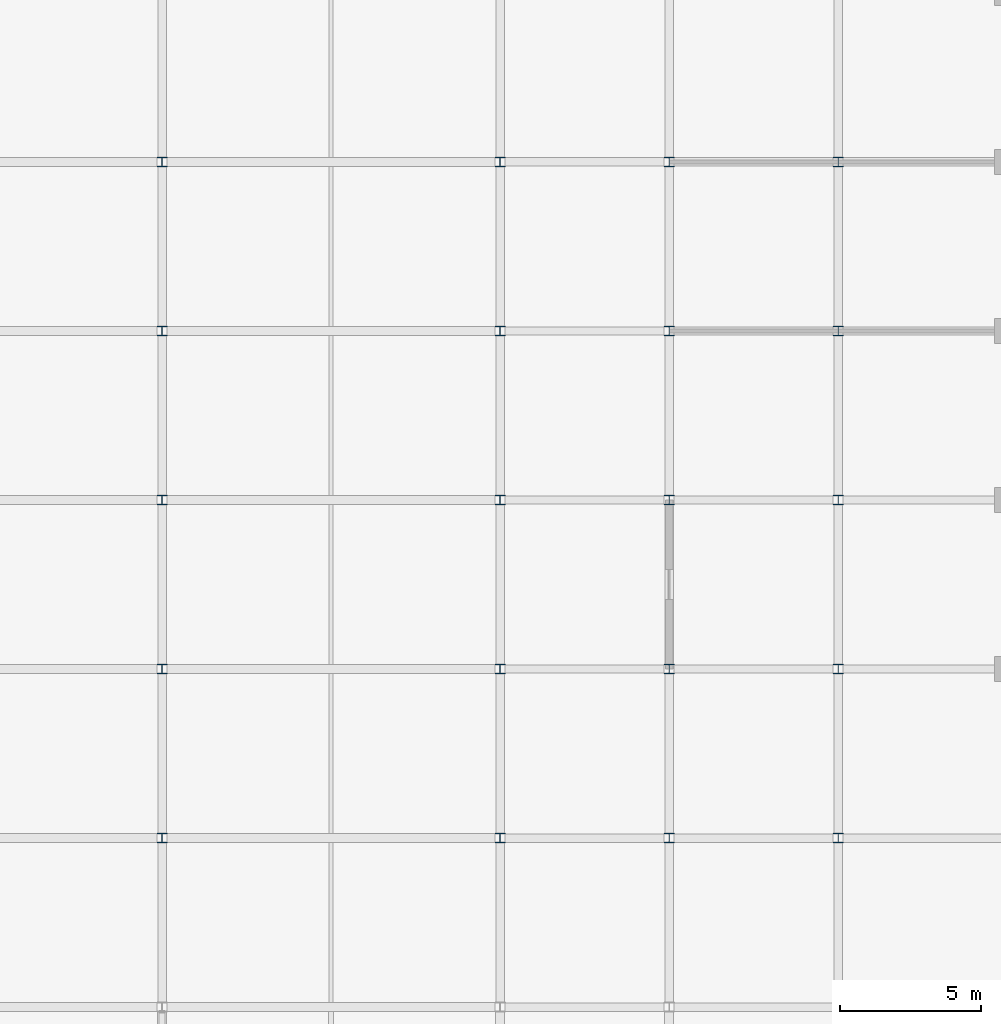
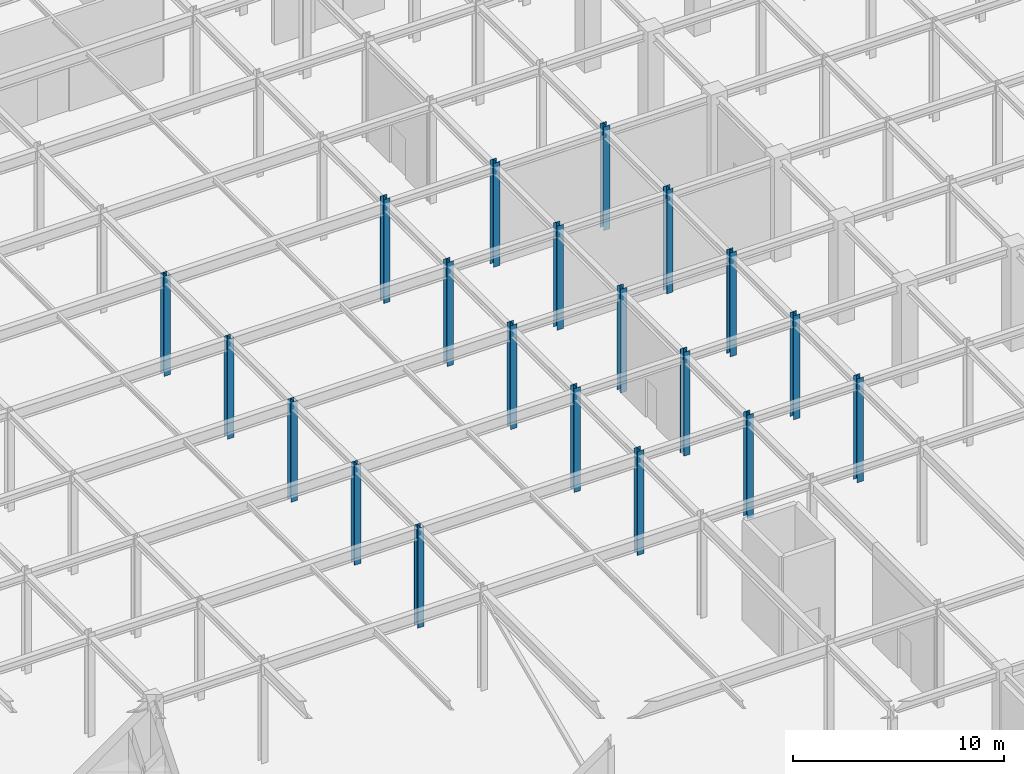
# One storey, part 6 of 51: 20 columns.
"""IFC4 building model written with IfcOpenShell, lengths in metres."""

from ifc_helpers import new_model, si_unit, direction, frame, origin, origin_2d, place, context, subcontext, project, spatial, i_section, extrude, material, material_profile, profile_set, type_object, element, save


model = new_model("IFC4")

# Units and contexts
model_context = context("Model", 3, precision=1e-05, world=origin(), true_north=direction((0.0, 1.0)))
body_context = subcontext(model_context, "Body", "Model", "MODEL_VIEW")
ifc_project = project(units=[si_unit("LENGTHUNIT", "METRE"), si_unit("AREAUNIT", "SQUARE_METRE"), si_unit("VOLUMEUNIT", "CUBIC_METRE"), si_unit("PLANEANGLEUNIT", "RADIAN"), si_unit("MASSUNIT", "GRAM", prefix="KILO")], contexts=[model_context])

# Site, building, storey
site_placement = place(None, origin())
site = spatial("IfcSite", under=ifc_project, at=site_placement, CompositionType="ELEMENT")
building_placement = place(site_placement, origin())
building = spatial("IfcBuilding", under=site, at=building_placement, Name="Zlatovratsky Civic Hall", CompositionType="ELEMENT")
storey_placement = place(building_placement, origin())
storey = spatial("IfcBuildingStorey", under=building, at=storey_placement, Name="L01", CompositionType="ELEMENT", Elevation=0.0)

# Columns
ifc_material = material(Name="Steel S355", Category="steel")
ifc_material_profile = material_profile(ifc_material, i_section(OverallWidth=0.35009765625, OverallDepth=0.343017578125, WebThickness=0.010009765625, FlangeThickness=0.014892578125, FilletRadius=0.02001953125, at=origin_2d()), Name="35K1")
ifc_profile_set = profile_set([ifc_material_profile], Name="Steel S355")
column_type = type_object("IfcColumnType", Name="Col_Steel_35K1", PredefinedType="COLUMN", material=ifc_profile_set)
column_1_placement = place(storey_placement, frame((36.0, 36.0, 0.0), z_axis=(0.0, 0.0, 1.0), x_axis=(1.0, 0.0, 0.0)))
element("IfcColumn", 1, at=column_1_placement, inside=storey, type_object=column_type, Name="CL-0504", PredefinedType="COLUMN", context=body_context, shape_type="SweptSolid", body=[
    extrude(i_section(OverallWidth=0.35009765625, OverallDepth=0.343017578125, WebThickness=0.010009765625, FlangeThickness=0.014892578125, FilletRadius=0.02001953125, at=origin_2d()), origin(), (0.0, 0.0, 1.0), 5.760009765625),
])
for number, where, z_axis, x_axis, name in (
    (2, (48.0, 36.0, 0.0), (0.0, 0.0, 1.0), (1.0, 0.0, 0.0), "CL-0505"),
    (3, (54.0, 36.0, 0.0), (0.0, 0.0, 1.0), (1.0, 0.0, 0.0), "CL-0506"),
    (4, (60.0, 36.0, 0.0), (0.0, 0.0, 1.0), (1.0, 0.0, 0.0), "CL-0507"),
):
    element("IfcColumn", number, at=place(storey_placement, frame(where, z_axis=z_axis, x_axis=x_axis)), inside=storey, type_object=column_type, Name=name, PredefinedType="COLUMN", context=body_context, shape_type="SweptSolid", body=[
        extrude(i_section(OverallWidth=0.35009765625, OverallDepth=0.343017578125, WebThickness=0.010009765625, FlangeThickness=0.014892578125, FilletRadius=0.02001953125, at=origin_2d()), origin(), (0.0, 0.0, 1.0), 6.0),
    ])
column_2_placement = place(storey_placement, frame((36.0, 42.0, 0.0), z_axis=(0.0, 0.0, 1.0), x_axis=(1.0, 0.0, 0.0)))
element("IfcColumn", 5, at=column_2_placement, inside=storey, type_object=column_type, Name="CL-0527", PredefinedType="COLUMN", context=body_context, shape_type="SweptSolid", body=[
    extrude(i_section(OverallWidth=0.35009765625, OverallDepth=0.343017578125, WebThickness=0.010009765625, FlangeThickness=0.014892578125, FilletRadius=0.02001953125, at=origin_2d()), origin(), (0.0, 0.0, 1.0), 5.760009765625),
])
for number, where, z_axis, x_axis, name in (
    (6, (48.0, 42.0, 0.0), (0.0, 0.0, 1.0), (1.0, 0.0, 0.0), "CL-0528"),
    (7, (54.0, 42.0, 0.0), (0.0, 0.0, 1.0), (1.0, 0.0, 0.0), "CL-0529"),
    (8, (60.0, 42.0, 0.0), (0.0, 0.0, 1.0), (1.0, 0.0, 0.0), "CL-0530"),
):
    element("IfcColumn", number, at=place(storey_placement, frame(where, z_axis=z_axis, x_axis=x_axis)), inside=storey, type_object=column_type, Name=name, PredefinedType="COLUMN", context=body_context, shape_type="SweptSolid", body=[
        extrude(i_section(OverallWidth=0.35009765625, OverallDepth=0.343017578125, WebThickness=0.010009765625, FlangeThickness=0.014892578125, FilletRadius=0.02001953125, at=origin_2d()), origin(), (0.0, 0.0, 1.0), 6.0),
    ])
column_3_placement = place(storey_placement, frame((36.0, 48.0, 0.0), z_axis=(0.0, 0.0, 1.0), x_axis=(1.0, 0.0, 0.0)))
element("IfcColumn", 9, at=column_3_placement, inside=storey, type_object=column_type, Name="CL-0550", PredefinedType="COLUMN", context=body_context, shape_type="SweptSolid", body=[
    extrude(i_section(OverallWidth=0.35009765625, OverallDepth=0.343017578125, WebThickness=0.010009765625, FlangeThickness=0.014892578125, FilletRadius=0.02001953125, at=origin_2d()), origin(), (0.0, 0.0, 1.0), 5.760009765625),
])
for number, where, z_axis, x_axis, name in (
    (10, (48.0, 48.0, 0.0), (0.0, 0.0, 1.0), (1.0, 0.0, 0.0), "CL-0551"),
    (11, (54.0, 48.0, 0.0), (0.0, 0.0, 1.0), (1.0, 0.0, 0.0), "CL-0552"),
    (12, (60.0, 48.0, 0.0), (0.0, 0.0, 1.0), (1.0, 0.0, 0.0), "CL-0553"),
):
    element("IfcColumn", number, at=place(storey_placement, frame(where, z_axis=z_axis, x_axis=x_axis)), inside=storey, type_object=column_type, Name=name, PredefinedType="COLUMN", context=body_context, shape_type="SweptSolid", body=[
        extrude(i_section(OverallWidth=0.35009765625, OverallDepth=0.343017578125, WebThickness=0.010009765625, FlangeThickness=0.014892578125, FilletRadius=0.02001953125, at=origin_2d()), origin(), (0.0, 0.0, 1.0), 6.0),
    ])
column_4_placement = place(storey_placement, frame((36.0, 54.0, 0.0), z_axis=(0.0, 0.0, 1.0), x_axis=(1.0, 0.0, 0.0)))
element("IfcColumn", 13, at=column_4_placement, inside=storey, type_object=column_type, Name="CL-0573", PredefinedType="COLUMN", context=body_context, shape_type="SweptSolid", body=[
    extrude(i_section(OverallWidth=0.35009765625, OverallDepth=0.343017578125, WebThickness=0.010009765625, FlangeThickness=0.014892578125, FilletRadius=0.02001953125, at=origin_2d()), origin(), (0.0, 0.0, 1.0), 5.760009765625),
])
for number, where, z_axis, x_axis, name in (
    (14, (48.0, 54.0, 0.0), (0.0, 0.0, 1.0), (1.0, 0.0, 0.0), "CL-0574"),
    (15, (54.0, 54.0, 0.0), (0.0, 0.0, 1.0), (1.0, 0.0, 0.0), "CL-0575"),
    (16, (60.0, 54.0, 0.0), (0.0, 0.0, 1.0), (1.0, 0.0, 0.0), "CL-0576"),
):
    element("IfcColumn", number, at=place(storey_placement, frame(where, z_axis=z_axis, x_axis=x_axis)), inside=storey, type_object=column_type, Name=name, PredefinedType="COLUMN", context=body_context, shape_type="SweptSolid", body=[
        extrude(i_section(OverallWidth=0.35009765625, OverallDepth=0.343017578125, WebThickness=0.010009765625, FlangeThickness=0.014892578125, FilletRadius=0.02001953125, at=origin_2d()), origin(), (0.0, 0.0, 1.0), 6.0),
    ])
column_5_placement = place(storey_placement, frame((36.0, 60.0, 0.0), z_axis=(0.0, 0.0, 1.0), x_axis=(1.0, 0.0, 0.0)))
element("IfcColumn", 17, at=column_5_placement, inside=storey, type_object=column_type, Name="CL-0596", PredefinedType="COLUMN", context=body_context, shape_type="SweptSolid", body=[
    extrude(i_section(OverallWidth=0.35009765625, OverallDepth=0.343017578125, WebThickness=0.010009765625, FlangeThickness=0.014892578125, FilletRadius=0.02001953125, at=origin_2d()), origin(), (0.0, 0.0, 1.0), 5.760009765625),
])
for number, where, z_axis, x_axis, name in (
    (18, (48.0, 60.0, 0.0), (0.0, 0.0, 1.0), (1.0, 0.0, 0.0), "CL-0597"),
    (19, (54.0, 60.0, 0.0), (0.0, 0.0, 1.0), (1.0, 0.0, 0.0), "CL-0598"),
    (20, (60.0, 60.0, 0.0), (0.0, 0.0, 1.0), (1.0, 0.0, 0.0), "CL-0599"),
):
    element("IfcColumn", number, at=place(storey_placement, frame(where, z_axis=z_axis, x_axis=x_axis)), inside=storey, type_object=column_type, Name=name, PredefinedType="COLUMN", context=body_context, shape_type="SweptSolid", body=[
        extrude(i_section(OverallWidth=0.35009765625, OverallDepth=0.343017578125, WebThickness=0.010009765625, FlangeThickness=0.014892578125, FilletRadius=0.02001953125, at=origin_2d()), origin(), (0.0, 0.0, 1.0), 6.0),
    ])

save(model, "model.ifc")
